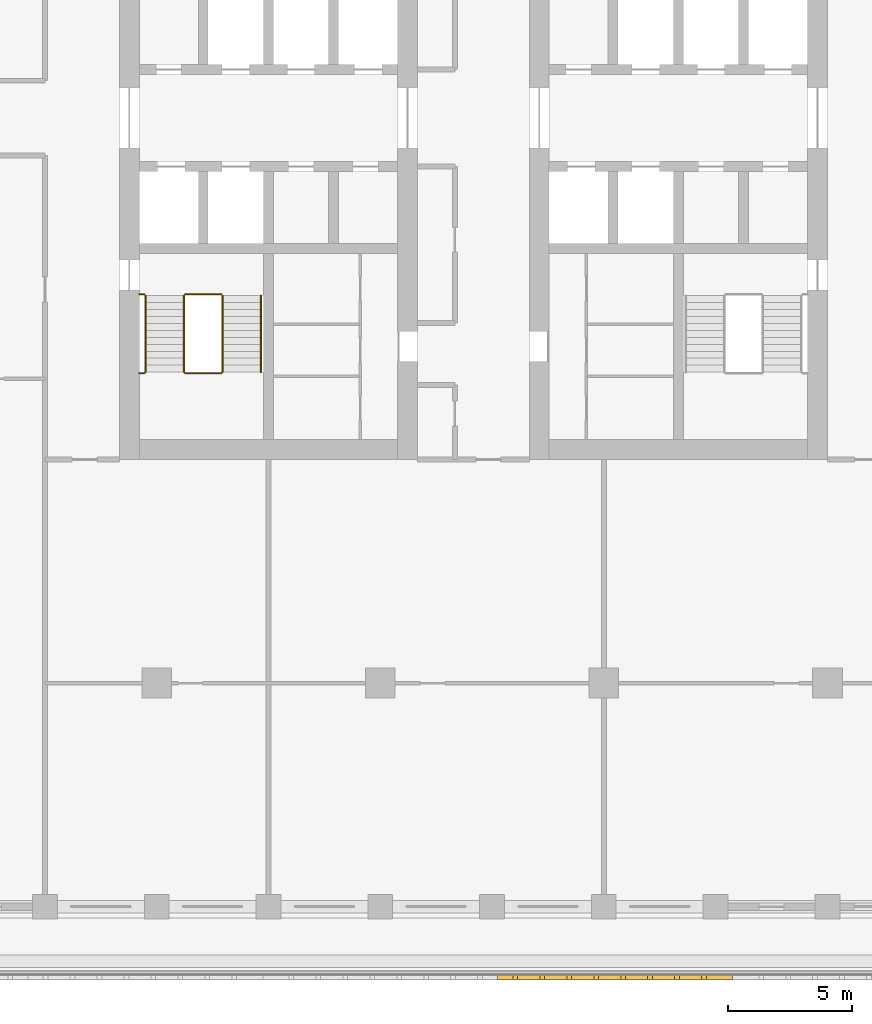
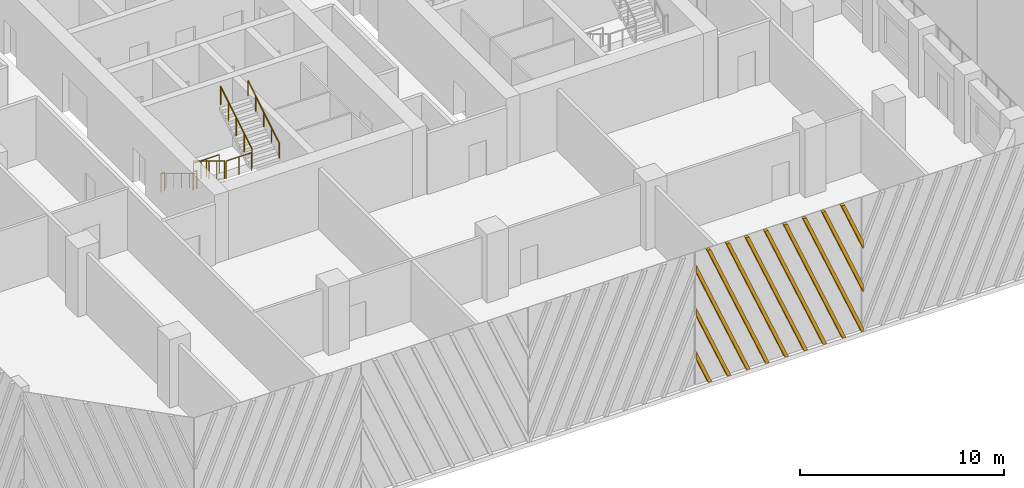
# One storey, part 10 of 16: 8 railings, 1 shading device.
"""IFC4 building model written with IfcOpenShell, lengths in metres."""

import ifcopenshell
import ifcopenshell.guid

model = None  # the IFC model being written
_history = None  # IfcOwnerHistory: only IFC2X3 demands one
_inside = {}  # id of a spatial element -> (the spatial element, [elements in it])
_under = {}  # id of a project, library or spatial element -> (it, [spatial elements below it])
_declared = {}  # id of a project -> (the project, [libraries it declares])
_typed = {}  # id of a type object -> (the type object, [elements of that type])
_made_of = {}  # id of a material, layer set ... -> (it, [elements and type objects made of it])


def new_model(schema):
    """Start an empty IFC model of exactly this schema.

    Asked for "IFC4X3", IfcOpenShell would pick the latest addendum, in which some entities
    have other attributes; the version numbers below select the first issue.
    IFC2X3 requires an IfcOwnerHistory on every rooted entity: one is made here for all.
    """
    global model, _history
    if schema == "IFC4X3":
        model = ifcopenshell.file(schema_version=(4, 3, 0, 0))
    else:
        model = ifcopenshell.file(schema=schema)
    _inside.clear()
    _under.clear()
    _declared.clear()
    _typed.clear()
    _made_of.clear()
    _history = None
    if model.schema == "IFC2X3":
        org = make("IfcOrganization", Name="unknown")
        user = make(
            "IfcPersonAndOrganization",
            ThePerson=make("IfcPerson", FamilyName="unknown"),
            TheOrganization=org,
        )
        app = make(
            "IfcApplication",
            ApplicationDeveloper=org,
            Version="unknown",
            ApplicationFullName="unknown",
            ApplicationIdentifier="unknown",
        )
        _history = make(
            "IfcOwnerHistory",
            OwningUser=user,
            OwningApplication=app,
            ChangeAction="ADDED",
            CreationDate=0,
        )
    return model


def make(cls, **values):
    """One entity of the class cls with the attributes given. An attribute that is None is left unset."""
    return model.create_entity(
        cls, **{name: value for name, value in values.items() if value is not None}
    )


def rooted(cls, **values):
    """An entity with a GlobalId (a new one), such as an element, a storey or a relation."""
    return make(cls, GlobalId=ifcopenshell.guid.new(), OwnerHistory=_history, **values)


def si_unit(unit_type, name, prefix=None):
    """IfcSIUnit, for example si_unit("LENGTHUNIT", "METRE", prefix="MILLI")."""
    return make("IfcSIUnit", UnitType=unit_type, Prefix=prefix, Name=name)


def assignment(units):
    """IfcUnitAssignment: the units of a project."""
    return None if units is None else make("IfcUnitAssignment", Units=units)


def point(xyz):
    """IfcCartesianPoint."""
    return None if xyz is None else make("IfcCartesianPoint", Coordinates=xyz)


def direction(xyz):
    """IfcDirection."""
    return None if xyz is None else make("IfcDirection", DirectionRatios=xyz)


def frame(location, z_axis=None, x_axis=None):
    """IfcAxis2Placement3D, a coordinate frame: its origin and axes. An axis left out is left unset."""
    return make(
        "IfcAxis2Placement3D",
        Location=point(location),
        Axis=direction(z_axis),
        RefDirection=direction(x_axis),
    )


def frame_2d(location, x_axis=None):
    """IfcAxis2Placement2D, a coordinate frame in the plane: its origin and x axis."""
    return make(
        "IfcAxis2Placement2D", Location=point(location), RefDirection=direction(x_axis)
    )


def origin():
    """The frame at (0, 0, 0) with its axes left unset."""
    return frame((0.0, 0.0, 0.0))


def origin_2d():
    """The frame at (0, 0) in the plane with its x axis left unset."""
    return frame_2d((0.0, 0.0))


def place(relative_to, where):
    """IfcLocalPlacement: puts the frame where relative to a parent placement (None: the world)."""
    return make(
        "IfcLocalPlacement", PlacementRelTo=relative_to, RelativePlacement=where
    )


def context(
    kind, dimensions, precision=None, world=None, true_north=None, identifier=None
):
    """IfcGeometricRepresentationContext, for example the 3D "Model" context."""
    return make(
        "IfcGeometricRepresentationContext",
        ContextIdentifier=identifier,
        ContextType=kind,
        CoordinateSpaceDimension=dimensions,
        Precision=precision,
        WorldCoordinateSystem=world,
        TrueNorth=true_north,
    )


def subcontext(parent, identifier, kind, view, scale=None):
    """IfcGeometricRepresentationSubContext, for example "Body" below "Model"."""
    return make(
        "IfcGeometricRepresentationSubContext",
        ContextIdentifier=identifier,
        ContextType=kind,
        ParentContext=parent,
        TargetScale=scale,
        TargetView=view,
    )


def project(units=None, contexts=None):
    """IfcProject with its units and contexts."""
    return rooted(
        "IfcProject",
        Name="project",
        RepresentationContexts=contexts,
        UnitsInContext=assignment(units),
    )


def spatial(cls, under=None, at=None, **own):
    """A site, building, storey or space (cls), placed at a placement, below another one or the project."""
    s = rooted(cls, ObjectPlacement=at, **own)
    if under is not None:
        _under.setdefault(under.id(), (under, []))[1].append(s)
    return s


def polyline(points):
    """IfcPolyline through the points."""
    return make("IfcPolyline", Points=[point(p) for p in points])


def profile(cls, at=None, kind="AREA", **sizes):
    """A parametric profile (cls). Its sizes go by their IFC names, for example OverallWidth=200.0."""
    return make(cls, ProfileType=kind, Position=at, **sizes)


def circle(**sizes):
    """IfcCircleProfileDef."""
    return profile("IfcCircleProfileDef", **sizes)


def outline(outer, holes=None, kind="AREA"):
    """IfcArbitraryClosedProfileDef: a profile drawn as a closed curve; with holes, ...WithVoids."""
    if holes is None:
        return make("IfcArbitraryClosedProfileDef", ProfileType=kind, OuterCurve=outer)
    return make(
        "IfcArbitraryProfileDefWithVoids",
        ProfileType=kind,
        OuterCurve=outer,
        InnerCurves=holes,
    )


def extrude(swept, where, along, depth):
    """IfcExtrudedAreaSolid: the profile swept, set in the frame where, extruded along a direction by depth."""
    return make(
        "IfcExtrudedAreaSolid",
        SweptArea=swept,
        Position=where,
        ExtrudedDirection=direction(along),
        Depth=depth,
    )


def shape(context_of_items, identifier, shape_type, items):
    """IfcShapeRepresentation: the items that make up one representation, for example the "Body"."""
    return make(
        "IfcShapeRepresentation",
        ContextOfItems=context_of_items,
        RepresentationIdentifier=identifier,
        RepresentationType=shape_type,
        Items=items,
    )


def source(mapping_origin, context_of_items, identifier, shape_type, items):
    """IfcRepresentationMap: a shape defined once, which mapped items show again and again."""
    return make(
        "IfcRepresentationMap",
        MappingOrigin=mapping_origin,
        MappedRepresentation=shape(context_of_items, identifier, shape_type, items),
    )


def transform(
    local_origin,
    x_axis=None,
    y_axis=None,
    z_axis=None,
    scale=None,
    scale2=None,
    scale3=None,
    uniform=True,
):
    """IfcCartesianTransformationOperator3D, or its non-uniform kind. x_axis, y_axis, z_axis: its Axis1, 2, 3."""
    if uniform:
        return make(
            "IfcCartesianTransformationOperator3D",
            Axis1=direction(x_axis),
            Axis2=direction(y_axis),
            LocalOrigin=point(local_origin),
            Scale=scale,
            Axis3=direction(z_axis),
        )
    return make(
        "IfcCartesianTransformationOperator3DnonUniform",
        Axis1=direction(x_axis),
        Axis2=direction(y_axis),
        LocalOrigin=point(local_origin),
        Scale=scale,
        Axis3=direction(z_axis),
        Scale2=scale2,
        Scale3=scale3,
    )


def mapped(mapping_source, mapping_target):
    """IfcMappedItem: shows the shape of a source again, moved by a transform."""
    return make(
        "IfcMappedItem", MappingSource=mapping_source, MappingTarget=mapping_target
    )


def material(Name=None, Category=None):
    """IfcMaterial."""
    return make("IfcMaterial", Name=Name, Category=Category)


def made_of(thing, what):
    """Note that an element or type object is made of a material, layer set ...; save() writes the relation."""
    if what is not None:
        _made_of.setdefault(what.id(), (what, []))[1].append(thing)
    return thing


def type_object(cls, material=None, **own):
    """A type object (cls), such as IfcWallType, which elements share."""
    return made_of(rooted(cls, **own), material)


def element(
    cls,
    number,
    at=None,
    inside=None,
    cuts=None,
    type_object=None,
    material=None,
    context=None,
    identifier="Body",
    shape_type=None,
    held_by="IfcProductDefinitionShape",
    body=None,
    shapes=None,
    **own,
):
    """One element of the class cls, such as IfcWall. Its Tag is "e" and its number.

    at: its placement. inside: the storey or other place that contains it. cuts: it is an
    opening in that element (IfcRelVoidsElement). A single representation is given by context,
    identifier, shape_type and body (its items); several are given by shapes. held_by: the class
    of the entity that holds the representations. save() writes the other relations.
    """
    e = rooted(cls, Tag="e%d" % number, ObjectPlacement=at, **own)
    if body is not None:
        shapes = [shape(context, identifier, shape_type, body)]
    if shapes is not None:
        e.Representation = make(held_by, Representations=shapes)
    if inside is not None:
        _inside.setdefault(inside.id(), (inside, []))[1].append(e)
    if cuts is not None:
        rooted(
            "IfcRelVoidsElement", RelatingBuildingElement=cuts, RelatedOpeningElement=e
        )
    if type_object is not None:
        _typed.setdefault(type_object.id(), (type_object, []))[1].append(e)
    return made_of(e, material)


def aggregate(whole, parts):
    """IfcRelAggregates: a whole, such as a stair, and the parts it consists of."""
    return rooted("IfcRelAggregates", RelatingObject=whole, RelatedObjects=parts)


def save(model, path):
    """Write the relations noted so far, then the file.

    IfcRelAggregates (storeys below a building ...), IfcRelContainedInSpatialStructure (elements
    in a storey), IfcRelDefinesByType, IfcRelAssociatesMaterial and IfcRelDeclares: one each for
    every whole, place, type object, material and project.
    """
    for whole, parts in _under.values():
        aggregate(whole, parts)
    for where, things in _inside.values():
        rooted(
            "IfcRelContainedInSpatialStructure",
            RelatedElements=things,
            RelatingStructure=where,
        )
    for kind, things in _typed.values():
        rooted("IfcRelDefinesByType", RelatedObjects=things, RelatingType=kind)
    for what, things in _made_of.values():
        rooted("IfcRelAssociatesMaterial", RelatedObjects=things, RelatingMaterial=what)
    for by, libraries in _declared.values():
        rooted("IfcRelDeclares", RelatingContext=by, RelatedDefinitions=libraries)
    model.write(path)


model = new_model("IFC4")

# Units and contexts
model_context = context("Model", 3, precision=1e-05, world=origin(), true_north=direction((0.0, 1.0)))
body_context = subcontext(model_context, "Body", "Model", "MODEL_VIEW")
ifc_project = project(units=[si_unit("LENGTHUNIT", "METRE"), si_unit("AREAUNIT", "SQUARE_METRE"), si_unit("VOLUMEUNIT", "CUBIC_METRE"), si_unit("PLANEANGLEUNIT", "RADIAN"), si_unit("MASSUNIT", "GRAM", prefix="KILO")], contexts=[model_context])

# Site, building, storey
site_placement = place(None, origin())
site = spatial("IfcSite", under=ifc_project, at=site_placement, CompositionType="ELEMENT")
building_placement = place(site_placement, origin())
building = spatial("IfcBuilding", under=site, at=building_placement, Name="Corbel Stack Research Tower", CompositionType="ELEMENT")
storey_placement = place(building_placement, frame((0.0, 0.0, 165.0)))
storey = spatial("IfcBuildingStorey", under=building, at=storey_placement, Name="L37", CompositionType="ELEMENT", Elevation=165.0)

# Railings
ifc_material_1 = material(Name="Steel S355", Category="steel")
railing_type_1 = type_object("IfcRailingType", Name="Stair guard 1100", PredefinedType="GUARDRAIL", material=ifc_material_1)
railing_1_placement = place(storey_placement, frame((-7.89990234375, -2.39990234375, 0.1708984375)))
element("IfcRailing", 1, at=railing_1_placement, inside=storey, type_object=railing_type_1, Name="L37 ST-W1 stair guard 1", PredefinedType="GUARDRAIL", context=body_context, shape_type="SweptSolid", body=[
    extrude(circle(Radius=0.02392578125, at=origin_2d()), frame((0.0, 0.0, 1.076171875), z_axis=(0.0, -0.853666305674, 0.52082035152), x_axis=(1.0, 0.0, 0.0)), (0.0, 0.0, 1.0), 3.608154296875),
    extrude(circle(Radius=0.02099609375, at=origin_2d()), origin(), (0.0, 0.0, 1.0), 1.052001953125),
    extrude(circle(Radius=0.02099609375, at=origin_2d()), frame((0.0, -0.77001953125, 0.4697265625)), (0.0, 0.0, 1.0), 1.052001953125),
    extrude(circle(Radius=0.02099609375, at=origin_2d()), frame((0.0, -1.5400390625, 0.939453125)), (0.0, 0.0, 1.0), 1.052001953125),
    extrude(circle(Radius=0.02099609375, at=origin_2d()), frame((0.0, -2.31005859375, 1.409423828125)), (0.0, 0.0, 1.0), 1.052001953125),
    extrude(circle(Radius=0.02099609375, at=origin_2d()), frame((0.0, -3.080078125, 1.879150390625)), (0.0, 0.0, 1.0), 1.052001953125),
])
railing_2_placement = place(storey_placement, frame((-7.85009765625, -5.530029296875, 2.050048828125)))
element("IfcRailing", 2, at=railing_2_placement, inside=storey, type_object=railing_type_1, Name="L37 ST-W1 stair guard 2", PredefinedType="GUARDRAIL", context=body_context, shape_type="SweptSolid", body=[
    extrude(circle(Radius=0.02392578125, at=origin_2d()), frame((0.0, 0.0, 1.076171875), z_axis=(1.0, 0.0, 0.0), x_axis=(0.0, 1.0, 0.0)), (0.0, 0.0, 1.0), 1.4501953125),
    extrude(circle(Radius=0.02099609375, at=origin_2d()), origin(), (0.0, 0.0, 1.0), 1.052001953125),
    extrude(circle(Radius=0.02099609375, at=origin_2d()), frame((0.72509765625, 0.0, 0.0)), (0.0, 0.0, 1.0), 1.052001953125),
    extrude(circle(Radius=0.02099609375, at=origin_2d()), frame((1.4501953125, 0.0, 0.0)), (0.0, 0.0, 1.0), 1.052001953125),
])
railing_3_placement = place(storey_placement, frame((-9.699951171875, -5.530029296875, 2.050048828125)))
element("IfcRailing", 3, at=railing_3_placement, inside=storey, type_object=railing_type_1, Name="L37 ST-W1 stair guard 3", PredefinedType="GUARDRAIL", context=body_context, shape_type="SweptSolid", body=[
    extrude(circle(Radius=0.02392578125, at=origin_2d()), frame((0.0, 0.0, 1.076171875), z_axis=(1.0, 0.0, 0.0), x_axis=(0.0, 1.0, 0.0)), (0.0, 0.0, 1.0), 0.199951171875),
    extrude(circle(Radius=0.02099609375, at=origin_2d()), origin(), (0.0, 0.0, 1.0), 1.052001953125),
    extrude(circle(Radius=0.02099609375, at=origin_2d()), frame((0.199951171875, 0.0, 0.0)), (0.0, 0.0, 1.0), 1.052001953125),
])
railing_4_placement = place(storey_placement, frame((-6.35009765625, -5.47998046875, 2.220947265625)))
element("IfcRailing", 4, at=railing_4_placement, inside=storey, type_object=railing_type_1, Name="L37 ST-W1 stair guard 4", PredefinedType="GUARDRAIL", context=body_context, shape_type="SweptSolid", body=[
    extrude(circle(Radius=0.02392578125, at=origin_2d()), frame((0.0, 0.0, 1.076171875), z_axis=(0.0, 0.853666305674, 0.52082035152), x_axis=(-1.0, 0.0, 0.0)), (0.0, 0.0, 1.0), 3.608154296875),
    extrude(circle(Radius=0.02099609375, at=origin_2d()), origin(), (0.0, 0.0, 1.0), 1.052001953125),
    extrude(circle(Radius=0.02099609375, at=origin_2d()), frame((0.0, 0.77001953125, 0.4697265625)), (0.0, 0.0, 1.0), 1.052001953125),
    extrude(circle(Radius=0.02099609375, at=origin_2d()), frame((0.0, 1.5400390625, 0.939453125)), (0.0, 0.0, 1.0), 1.052001953125),
    extrude(circle(Radius=0.02099609375, at=origin_2d()), frame((0.0, 2.31005859375, 1.409423828125)), (0.0, 0.0, 1.0), 1.052001953125),
    extrude(circle(Radius=0.02099609375, at=origin_2d()), frame((0.0, 3.080078125, 1.879150390625)), (0.0, 0.0, 1.0), 1.052001953125),
])
railing_5_placement = place(storey_placement, frame((-7.85009765625, -2.35009765625, 0.0)))
element("IfcRailing", 5, at=railing_5_placement, inside=storey, type_object=railing_type_1, Name="L37 ST-W1 stair guard 5", PredefinedType="GUARDRAIL", context=body_context, shape_type="SweptSolid", body=[
    extrude(circle(Radius=0.02392578125, at=origin_2d()), frame((0.0, 0.0, 1.076171875), z_axis=(1.0, 0.0, 0.0), x_axis=(0.0, 1.0, 0.0)), (0.0, 0.0, 1.0), 1.4501953125),
    extrude(circle(Radius=0.02099609375, at=origin_2d()), origin(), (0.0, 0.0, 1.0), 1.052001953125),
    extrude(circle(Radius=0.02099609375, at=origin_2d()), frame((0.72509765625, 0.0, 0.0)), (0.0, 0.0, 1.0), 1.052001953125),
    extrude(circle(Radius=0.02099609375, at=origin_2d()), frame((1.4501953125, 0.0, 0.0)), (0.0, 0.0, 1.0), 1.052001953125),
])
railing_6_placement = place(storey_placement, frame((-9.699951171875, -2.35009765625, 0.0)))
element("IfcRailing", 6, at=railing_6_placement, inside=storey, type_object=railing_type_1, Name="L37 ST-W1 stair guard 6", PredefinedType="GUARDRAIL", context=body_context, shape_type="SweptSolid", body=[
    extrude(circle(Radius=0.02392578125, at=origin_2d()), frame((0.0, 0.0, 1.076171875), z_axis=(1.0, 0.0, 0.0), x_axis=(0.0, 1.0, 0.0)), (0.0, 0.0, 1.0), 0.199951171875),
    extrude(circle(Radius=0.02099609375, at=origin_2d()), origin(), (0.0, 0.0, 1.0), 1.052001953125),
    extrude(circle(Radius=0.02099609375, at=origin_2d()), frame((0.199951171875, 0.0, 0.0)), (0.0, 0.0, 1.0), 1.052001953125),
])
ifc_material_2 = material(Name="Steel S355", Category="steel")
railing_type_2 = type_object("IfcRailingType", Name="Stair handrail 900", PredefinedType="HANDRAIL", material=ifc_material_2)
railing_7_placement = place(storey_placement, frame((-9.449951171875, -2.39990234375, 0.1708984375)))
element("IfcRailing", 7, at=railing_7_placement, inside=storey, type_object=railing_type_2, Name="L37 ST-W1 stair handrail 1", PredefinedType="HANDRAIL", context=body_context, shape_type="SweptSolid", body=[
    extrude(circle(Radius=0.02392578125, at=origin_2d()), frame((0.0, 0.0, 0.8759765625), z_axis=(0.0, -0.853666305674, 0.52082035152), x_axis=(1.0, 0.0, 0.0)), (0.0, 0.0, 1.0), 3.608154296875),
    extrude(circle(Radius=0.02099609375, at=origin_2d()), origin(), (0.0, 0.0, 1.0), 0.851806640625),
    extrude(circle(Radius=0.02099609375, at=origin_2d()), frame((0.0, -0.77001953125, 0.4697265625)), (0.0, 0.0, 1.0), 0.851806640625),
    extrude(circle(Radius=0.02099609375, at=origin_2d()), frame((0.0, -1.5400390625, 0.939453125)), (0.0, 0.0, 1.0), 0.851806640625),
    extrude(circle(Radius=0.02099609375, at=origin_2d()), frame((0.0, -2.31005859375, 1.409423828125)), (0.0, 0.0, 1.0), 0.851806640625),
    extrude(circle(Radius=0.02099609375, at=origin_2d()), frame((0.0, -3.080078125, 1.879150390625)), (0.0, 0.0, 1.0), 0.851806640625),
])
railing_8_placement = place(storey_placement, frame((-4.800048828125, -5.47998046875, 2.220947265625)))
element("IfcRailing", 8, at=railing_8_placement, inside=storey, type_object=railing_type_2, Name="L37 ST-W1 stair handrail 2", PredefinedType="HANDRAIL", context=body_context, shape_type="SweptSolid", body=[
    extrude(circle(Radius=0.02392578125, at=origin_2d()), frame((0.0, 0.0, 0.8759765625), z_axis=(0.0, 0.853666305674, 0.52082035152), x_axis=(-1.0, 0.0, 0.0)), (0.0, 0.0, 1.0), 3.608154296875),
    extrude(circle(Radius=0.02099609375, at=origin_2d()), origin(), (0.0, 0.0, 1.0), 0.851806640625),
    extrude(circle(Radius=0.02099609375, at=origin_2d()), frame((0.0, 0.77001953125, 0.4697265625)), (0.0, 0.0, 1.0), 0.851806640625),
    extrude(circle(Radius=0.02099609375, at=origin_2d()), frame((0.0, 1.5400390625, 0.939453125)), (0.0, 0.0, 1.0), 0.851806640625),
    extrude(circle(Radius=0.02099609375, at=origin_2d()), frame((0.0, 2.31005859375, 1.409423828125)), (0.0, 0.0, 1.0), 0.851806640625),
    extrude(circle(Radius=0.02099609375, at=origin_2d()), frame((0.0, 3.080078125, 1.879150390625)), (0.0, 0.0, 1.0), 0.851806640625),
])

# Shading device
ifc_material_3 = material(Name="Precast terracotta", Category="masonry")
shading_device_type = type_object("IfcShadingDeviceType", Name="Terracotta screen panel", PredefinedType="USERDEFINED", material=ifc_material_3)
shared_shape = source(origin(), body_context, "Body", "SweptSolid", [
    extrude(outline(polyline([(0.873291015625, 0.0), (0.0, 2.091064453125), (0.0, 1.635986328125), (0.683349609375, 0.0), (0.873291015625, 0.0)])), frame((0.0, 0.0, 0.0), z_axis=(0.0, -1.0, 0.0), x_axis=(1.0, 0.0, 0.0)), (0.0, 0.0, 1.0), 0.179931640625),
    extrude(outline(polyline([(1.9580078125, 0.0), (0.0, 4.688232421875), (0.0, 4.2333984375), (1.76806640625, 0.0), (1.9580078125, 0.0)])), frame((0.0, 0.0, 0.0), z_axis=(0.0, -1.0, 0.0), x_axis=(1.0, 0.0, 0.0)), (0.0, 0.0, 1.0), 0.179931640625),
    extrude(outline(polyline([(3.04248046875, 0.0), (0.0, 7.285400390625), (0.0, 6.83056640625), (2.8525390625, 0.0), (3.04248046875, 0.0)])), frame((0.0, 0.0, 0.0), z_axis=(0.0, -1.0, 0.0), x_axis=(1.0, 0.0, 0.0)), (0.0, 0.0, 1.0), 0.179931640625),
    extrude(outline(polyline([(4.127197265625, 0.0), (0.80712890625, 7.949951171875), (0.6171875, 7.949951171875), (3.937255859375, 0.0), (4.127197265625, 0.0)])), frame((0.0, 0.0, 0.0), z_axis=(0.0, -1.0, 0.0), x_axis=(1.0, 0.0, 0.0)), (0.0, 0.0, 1.0), 0.179931640625),
    extrude(outline(polyline([(5.2119140625, 0.0), (1.891845703125, 7.949951171875), (1.701904296875, 7.949951171875), (5.02197265625, 0.0), (5.2119140625, 0.0)])), frame((0.0, 0.0, 0.0), z_axis=(0.0, -1.0, 0.0), x_axis=(1.0, 0.0, 0.0)), (0.0, 0.0, 1.0), 0.179931640625),
    extrude(outline(polyline([(6.296630859375, 0.0), (2.9765625, 7.949951171875), (2.78662109375, 7.949951171875), (6.106689453125, 0.0), (6.296630859375, 0.0)])), frame((0.0, 0.0, 0.0), z_axis=(0.0, -1.0, 0.0), x_axis=(1.0, 0.0, 0.0)), (0.0, 0.0, 1.0), 0.179931640625),
    extrude(outline(polyline([(7.38134765625, 0.0), (4.06103515625, 7.949951171875), (3.87109375, 7.949951171875), (7.19140625, 0.0), (7.38134765625, 0.0)])), frame((0.0, 0.0, 0.0), z_axis=(0.0, -1.0, 0.0), x_axis=(1.0, 0.0, 0.0)), (0.0, 0.0, 1.0), 0.179931640625),
    extrude(outline(polyline([(8.466064453125, 0.0), (5.145751953125, 7.949951171875), (4.955810546875, 7.949951171875), (8.27587890625, 0.0), (8.466064453125, 0.0)])), frame((0.0, 0.0, 0.0), z_axis=(0.0, -1.0, 0.0), x_axis=(1.0, 0.0, 0.0)), (0.0, 0.0, 1.0), 0.179931640625),
    extrude(outline(polyline([(9.45556640625, 0.0), (9.45556640625, 0.2275390625), (6.23046875, 7.949951171875), (6.04052734375, 7.949951171875), (9.360595703125, 0.0), (9.45556640625, 0.0)])), frame((0.0, 0.0, 0.0), z_axis=(0.0, -1.0, 0.0), x_axis=(1.0, 0.0, 0.0)), (0.0, 0.0, 1.0), 0.179931640625),
    extrude(outline(polyline([(7.315185546875, 7.949951171875), (7.125, 7.949951171875), (9.45556640625, 2.36962890625), (9.45556640625, 2.82470703125), (7.315185546875, 7.949951171875)])), frame((0.0, 0.0, 0.0), z_axis=(0.0, -1.0, 0.0), x_axis=(1.0, 0.0, 0.0)), (0.0, 0.0, 1.0), 0.179931640625),
    extrude(outline(polyline([(8.39990234375, 7.949951171875), (8.209716796875, 7.949951171875), (9.45556640625, 4.966796875), (9.45556640625, 5.421875), (8.39990234375, 7.949951171875)])), frame((0.0, 0.0, 0.0), z_axis=(0.0, -1.0, 0.0), x_axis=(1.0, 0.0, 0.0)), (0.0, 0.0, 1.0), 0.179931640625),
])
shading_device_placement = place(storey_placement, frame((4.727783203125, -29.75, 0.0), z_axis=(0.0, 0.0, 1.0), x_axis=(1.0, 0.0, 0.0)))
element("IfcShadingDevice", 9, at=shading_device_placement, inside=storey, type_object=shading_device_type, Name="Terracotta screen L37 S4", ObjectType="SCREEN", PredefinedType="USERDEFINED", context=body_context, shape_type="MappedRepresentation", body=[
    mapped(shared_shape, transform((0.0, 0.0, 0.0))),
])

save(model, "model.ifc")
